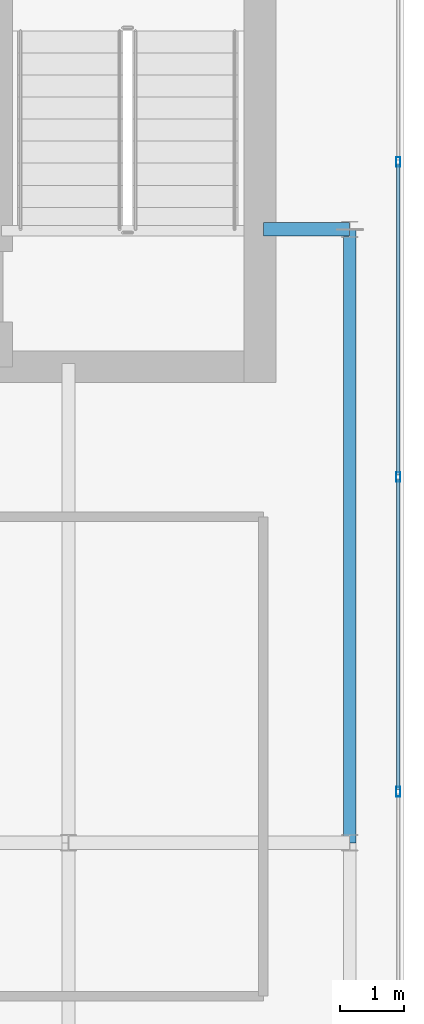
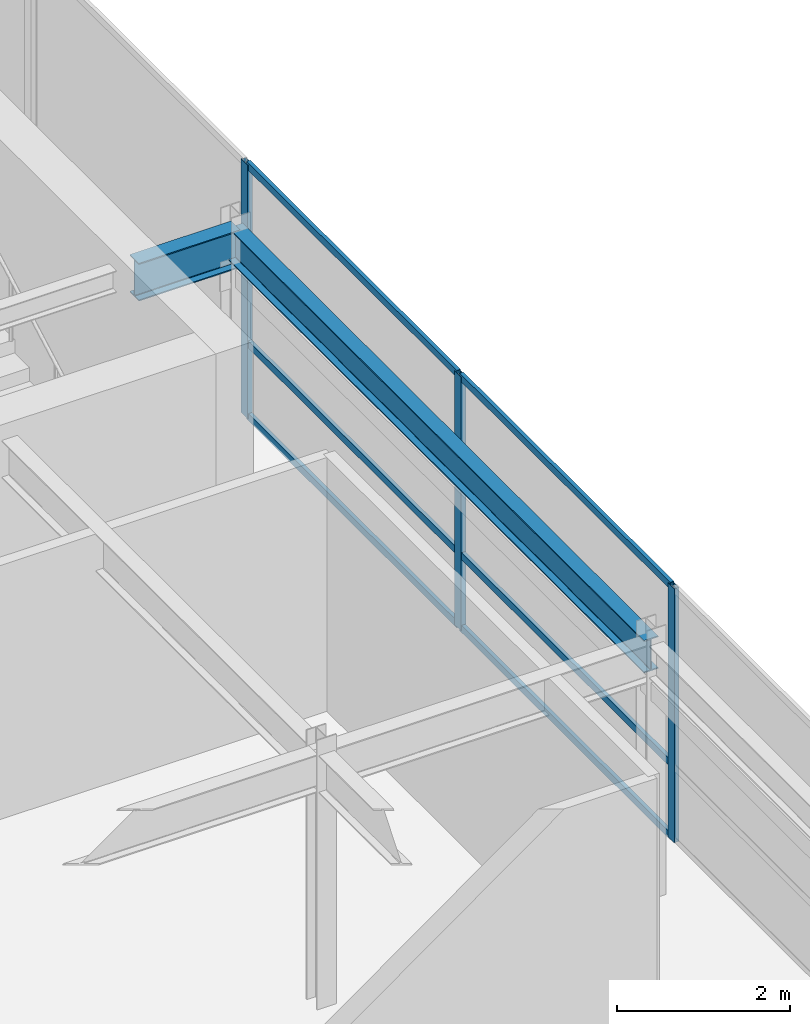
# One storey, part 24 of 36: 9 members, 2 beams, 1 element without a shape of its own.
"""IFC4 building model written with IfcOpenShell, lengths in metres."""

from ifc_helpers import new_model, si_unit, direction, frame, origin, origin_2d, place, context, subcontext, project, spatial, hollow_rectangle, i_section, extrude, source, transform, mapped, material, layer, layer_set, material_profile, profile_set, type_object, type_shapes, element, aggregate, save


model = new_model("IFC4")

# Units and contexts
model_context = context("Model", 3, precision=1e-05, world=origin(), true_north=direction((0.0, 1.0)))
body_context = subcontext(model_context, "Body", "Model", "MODEL_VIEW")
ifc_project = project(units=[si_unit("LENGTHUNIT", "METRE"), si_unit("AREAUNIT", "SQUARE_METRE"), si_unit("VOLUMEUNIT", "CUBIC_METRE"), si_unit("PLANEANGLEUNIT", "RADIAN"), si_unit("MASSUNIT", "GRAM", prefix="KILO")], contexts=[model_context])

# Site, building, storey
site_placement = place(None, origin())
site = spatial("IfcSite", under=ifc_project, at=site_placement, CompositionType="ELEMENT")
building_placement = place(site_placement, origin())
building = spatial("IfcBuilding", under=site, at=building_placement, Name="Tolvann Quenvar Hotel", CompositionType="ELEMENT")
storey_placement = place(building_placement, frame((0.0, 0.0, 302.35009765625)))
storey = spatial("IfcBuildingStorey", under=building, at=storey_placement, Name="L80", CompositionType="ELEMENT", Elevation=302.35009765625)

# Beams
ifc_material_1 = material(Name="Steel Grade 350", Category="steel")
ifc_material_profile_1 = material_profile(ifc_material_1, i_section(OverallWidth=0.19091796875, OverallDepth=0.4599609375, WebThickness=0.010009765625, FlangeThickness=0.01611328125, FilletRadius=0.011474609375, at=origin_2d()), Name="460UB82")
ifc_profile_set_1 = profile_set([ifc_material_profile_1], Name="Steel Grade 350")
beam_type_1 = type_object("IfcBeamType", Name="BM_SPAND_460UB82", PredefinedType="SPANDREL", material=ifc_profile_set_1)
shared_shape_1 = source(origin(), body_context, "Body", "SweptSolid", [
    extrude(i_section(OverallWidth=0.19091796875, OverallDepth=0.4599609375, WebThickness=0.010009765625, FlangeThickness=0.01611328125, FilletRadius=0.011474609375, at=origin_2d()), origin(), (0.0, 0.0, 1.0), 9.60009765625),
])
type_shapes(beam_type_1, [shared_shape_1])
beam_1_placement = place(storey_placement, frame((37.14990234375, 24.39990234375, 3.349853515625), z_axis=(0.0, 1.0, 0.0), x_axis=(-1.0, 0.0, 0.0)))
element("IfcBeam", 1, at=beam_1_placement, inside=storey, type_object=beam_type_1, Name="BM-L80-FLK-G1", PredefinedType="SPANDREL", context=body_context, shape_type="MappedRepresentation", body=[
    mapped(shared_shape_1, transform((0.0, 0.0, 0.0), x_axis=(1.0, 0.0, 0.0), y_axis=(0.0, 1.0, 0.0), z_axis=(0.0, 0.0, 1.0), scale=1.0)),
])
ifc_material_profile_2 = material_profile(ifc_material_1, i_section(OverallWidth=0.208984375, OverallDepth=0.532958984375, WebThickness=0.01025390625, FlangeThickness=0.015625, FilletRadius=0.013916015625, at=origin_2d()), Name="530UB92")
ifc_profile_set_2 = profile_set([ifc_material_profile_2], Name="Steel Grade 350")
beam_type_2 = type_object("IfcBeamType", Name="BM_GIRD_530UB92", PredefinedType="BEAM", material=ifc_profile_set_2)
shared_shape_2 = source(origin(), body_context, "Body", "SweptSolid", [
    extrude(i_section(OverallWidth=0.208984375, OverallDepth=0.532958984375, WebThickness=0.01025390625, FlangeThickness=0.015625, FilletRadius=0.013916015625, at=origin_2d()), origin(), (0.0, 0.0, 1.0), 1.349853515625),
])
type_shapes(beam_type_2, [shared_shape_2])
beam_2_placement = place(storey_placement, frame((35.800048828125, 34.0, 3.3134765625), z_axis=(1.0, 0.0, 0.0), x_axis=(0.0, 1.0, 0.0)))
element("IfcBeam", 2, at=beam_2_placement, inside=storey, type_object=beam_type_2, Name="BM-L80-CTE-GD6", PredefinedType="BEAM", context=body_context, shape_type="MappedRepresentation", body=[
    mapped(shared_shape_2, transform((0.0, 0.0, 0.0), x_axis=(1.0, 0.0, 0.0), y_axis=(0.0, 1.0, 0.0), z_axis=(0.0, 0.0, 1.0), scale=1.0)),
])

# Curtain wall, members
ifc_material_2 = material(Name="Thermally broken anodised architectural aluminium 6063-T6 and laminated low-E glass", Category="aluminium")
ifc_layer = layer(ifc_material_2, 0.179931640625)
ifc_layer_set = layer_set([ifc_layer], Name="Thermally broken anodised architectural aluminium 6063-T6 and laminated low-E glass")
curtain_wall_type = type_object("IfcCurtainWallType", Name="CW_SYS_LANT_06", PredefinedType="USERDEFINED", material=ifc_layer_set)
curtain_wall_placement = place(storey_placement, origin())
curtain_wall = element("IfcCurtainWall", 3, at=curtain_wall_placement, inside=storey, type_object=curtain_wall_type, Name="Curtain Wall CW-LANT-06 (CWR-L80-E09)", ObjectType="UNITISED CURTAIN WALL", PredefinedType="USERDEFINED")
ifc_material_3 = material(Name="Anodised architectural aluminium 6063-T6 framing", Category="aluminium")
ifc_material_profile_3 = material_profile(ifc_material_3, hollow_rectangle(XDim=0.050048828125, YDim=0.10009765625, WallThickness=0.0029296875, at=origin_2d()), Name="100x50x3RHS")
ifc_profile_set_3 = profile_set([ifc_material_profile_3], Name="Anodised architectural aluminium 6063-T6 framing")
member_type_1 = type_object("IfcMemberType", Name="CW_TRAN_100x50", PredefinedType="USERDEFINED", material=ifc_profile_set_3)
shared_shape_3 = source(origin(), body_context, "Body", "SweptSolid", [
    extrude(hollow_rectangle(XDim=0.050048828125, YDim=0.10009765625, WallThickness=0.0029296875, at=origin_2d()), origin(), (0.0, 0.0, 1.0), 4.86279296875),
])
member_1_placement = place(storey_placement, frame((37.909912109375, 25.232421875, 0.02490234375), z_axis=(0.0, 1.0, 0.0), x_axis=(-1.0, 0.0, 0.0)))
member_1 = element("IfcMember", 4, at=member_1_placement, type_object=member_type_1, Name="CW-LANT-06 transom 4.1", ObjectType="TRANSOM", PredefinedType="USERDEFINED", context=body_context, shape_type="MappedRepresentation", body=[
    mapped(shared_shape_3, transform((0.0, 0.0, 0.0), x_axis=(1.0, 0.0, 0.0), y_axis=(0.0, 1.0, 0.0), z_axis=(0.0, 0.0, 1.0), scale=1.0)),
])
member_2_placement = place(storey_placement, frame((37.909912109375, 25.232421875, 1.0498046875), z_axis=(0.0, 1.0, 0.0), x_axis=(-1.0, 0.0, 0.0)))
member_2 = element("IfcMember", 5, at=member_2_placement, type_object=member_type_1, Name="CW-LANT-06 transom 4.2", ObjectType="TRANSOM", PredefinedType="USERDEFINED", context=body_context, shape_type="MappedRepresentation", body=[
    mapped(shared_shape_3, transform((0.0, 0.0, 0.0), x_axis=(1.0, 0.0, 0.0), y_axis=(0.0, 1.0, 0.0), z_axis=(0.0, 0.0, 1.0), scale=1.0)),
])
member_3_placement = place(storey_placement, frame((37.909912109375, 25.232421875, 3.554931640625), z_axis=(0.0, 1.0, 0.0), x_axis=(-1.0, 0.0, 0.0)))
member_3 = element("IfcMember", 6, at=member_3_placement, type_object=member_type_1, Name="CW-LANT-06 transom 4.3", ObjectType="TRANSOM", PredefinedType="USERDEFINED", context=body_context, shape_type="MappedRepresentation", body=[
    mapped(shared_shape_3, transform((0.0, 0.0, 0.0), x_axis=(1.0, 0.0, 0.0), y_axis=(0.0, 1.0, 0.0), z_axis=(0.0, 0.0, 1.0), scale=1.0)),
])
shared_shape_4 = source(origin(), body_context, "Body", "SweptSolid", [
    extrude(hollow_rectangle(XDim=0.050048828125, YDim=0.10009765625, WallThickness=0.0029296875, at=origin_2d()), origin(), (0.0, 0.0, 1.0), 4.862548828125),
])
type_shapes(member_type_1, [shared_shape_3, shared_shape_4])
member_4_placement = place(storey_placement, frame((37.909912109375, 30.16015625, 0.02490234375), z_axis=(0.0, 1.0, 0.0), x_axis=(-1.0, 0.0, 0.0)))
member_4 = element("IfcMember", 7, at=member_4_placement, type_object=member_type_1, Name="CW-LANT-06 transom 5.1", ObjectType="TRANSOM", PredefinedType="USERDEFINED", context=body_context, shape_type="MappedRepresentation", body=[
    mapped(shared_shape_4, transform((0.0, 0.0, 0.0), x_axis=(1.0, 0.0, 0.0), y_axis=(0.0, 1.0, 0.0), z_axis=(0.0, 0.0, 1.0), scale=1.0)),
])
member_5_placement = place(storey_placement, frame((37.909912109375, 30.16015625, 1.0498046875), z_axis=(0.0, 1.0, 0.0), x_axis=(-1.0, 0.0, 0.0)))
member_5 = element("IfcMember", 8, at=member_5_placement, type_object=member_type_1, Name="CW-LANT-06 transom 5.2", ObjectType="TRANSOM", PredefinedType="USERDEFINED", context=body_context, shape_type="MappedRepresentation", body=[
    mapped(shared_shape_4, transform((0.0, 0.0, 0.0), x_axis=(1.0, 0.0, 0.0), y_axis=(0.0, 1.0, 0.0), z_axis=(0.0, 0.0, 1.0), scale=1.0)),
])
member_6_placement = place(storey_placement, frame((37.909912109375, 30.16015625, 3.554931640625), z_axis=(0.0, 1.0, 0.0), x_axis=(-1.0, 0.0, 0.0)))
member_6 = element("IfcMember", 9, at=member_6_placement, type_object=member_type_1, Name="CW-LANT-06 transom 5.3", ObjectType="TRANSOM", PredefinedType="USERDEFINED", context=body_context, shape_type="MappedRepresentation", body=[
    mapped(shared_shape_4, transform((0.0, 0.0, 0.0), x_axis=(1.0, 0.0, 0.0), y_axis=(0.0, 1.0, 0.0), z_axis=(0.0, 0.0, 1.0), scale=1.0)),
])
ifc_material_profile_4 = material_profile(ifc_material_3, hollow_rectangle(XDim=0.06494140625, YDim=0.14990234375, WallThickness=0.00390625, at=origin_2d()), Name="150x65x4RHS")
ifc_profile_set_4 = profile_set([ifc_material_profile_4], Name="Anodised architectural aluminium 6063-T6 framing")
member_type_2 = type_object("IfcMemberType", Name="CW_MULL_150x65", PredefinedType="MULLION", material=ifc_profile_set_4)
shared_shape_5 = source(origin(), body_context, "Body", "SweptSolid", [
    extrude(hollow_rectangle(XDim=0.06494140625, YDim=0.14990234375, WallThickness=0.00390625, at=origin_2d()), origin(), (0.0, 0.0, 1.0), 3.579833984375),
])
type_shapes(member_type_2, [shared_shape_5])
member_7_placement = place(storey_placement, frame((37.909912109375, 25.199951171875, 0.0), z_axis=(0.0, 0.0, 1.0), x_axis=(-1.0, 0.0, 0.0)))
member_7 = element("IfcMember", 10, at=member_7_placement, type_object=member_type_2, Name="CW-LANT-06 mullion 4", PredefinedType="MULLION", context=body_context, shape_type="MappedRepresentation", body=[
    mapped(shared_shape_5, transform((0.0, 0.0, 0.0), x_axis=(1.0, 0.0, 0.0), y_axis=(0.0, 1.0, 0.0), z_axis=(0.0, 0.0, 1.0), scale=1.0)),
])
member_8_placement = place(storey_placement, frame((37.909912109375, 30.127685546875, 0.0), z_axis=(0.0, 0.0, 1.0), x_axis=(-1.0, 0.0, 0.0)))
member_8 = element("IfcMember", 11, at=member_8_placement, type_object=member_type_2, Name="CW-LANT-06 mullion 5", PredefinedType="MULLION", context=body_context, shape_type="MappedRepresentation", body=[
    mapped(shared_shape_5, transform((0.0, 0.0, 0.0), x_axis=(1.0, 0.0, 0.0), y_axis=(0.0, 1.0, 0.0), z_axis=(0.0, 0.0, 1.0), scale=1.0)),
])
member_9_placement = place(storey_placement, frame((37.909912109375, 35.05517578125, 0.0), z_axis=(0.0, 0.0, 1.0), x_axis=(-1.0, 0.0, 0.0)))
member_9 = element("IfcMember", 12, at=member_9_placement, type_object=member_type_2, Name="CW-LANT-06 mullion 6", PredefinedType="MULLION", context=body_context, shape_type="MappedRepresentation", body=[
    mapped(shared_shape_5, transform((0.0, 0.0, 0.0), x_axis=(1.0, 0.0, 0.0), y_axis=(0.0, 1.0, 0.0), z_axis=(0.0, 0.0, 1.0), scale=1.0)),
])
aggregate(curtain_wall, [member_7, member_8, member_9, member_1, member_2, member_3, member_4, member_5, member_6])

save(model, "model.ifc")
